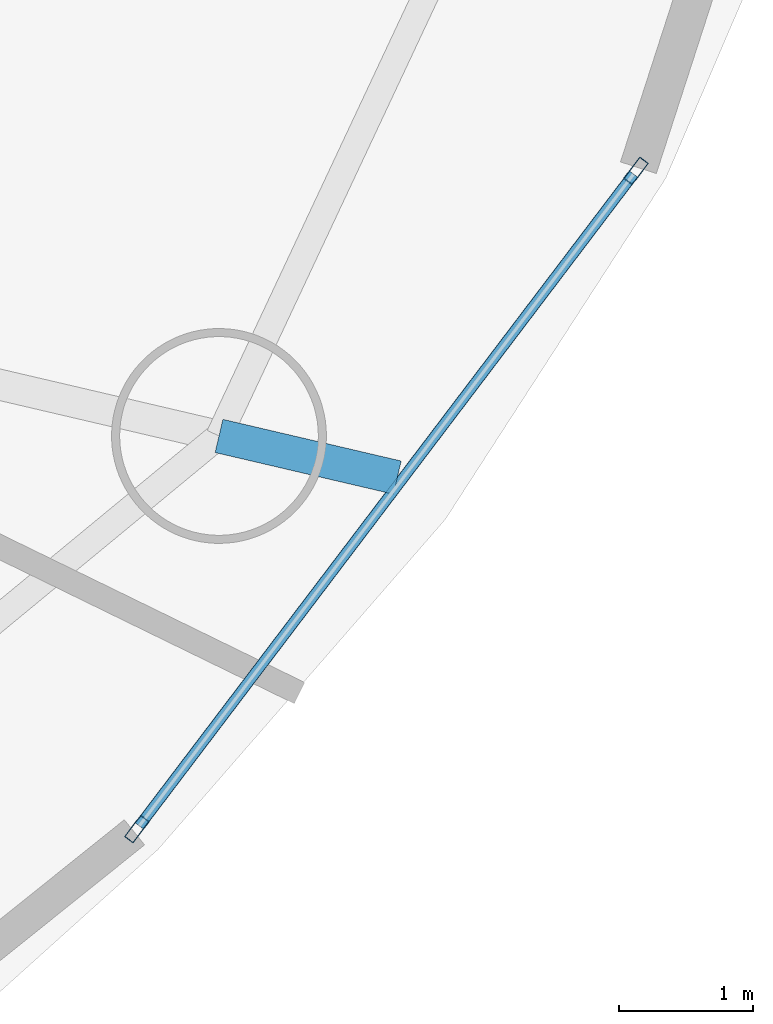
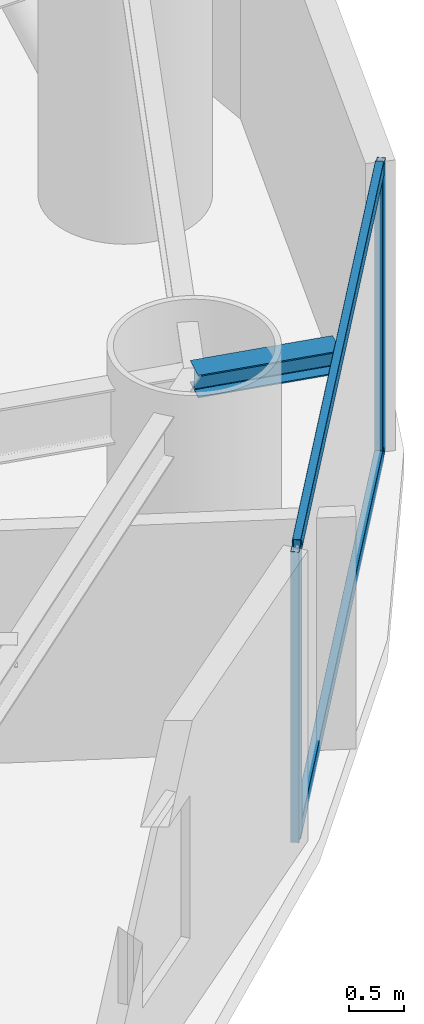
# One storey, part 5 of 19: 4 members, 1 beam, 1 element without a shape of its own.
"""IFC4 building model written with IfcOpenShell, lengths in metres."""

import ifcopenshell
import ifcopenshell.guid

model = None  # the IFC model being written
_history = None  # IfcOwnerHistory: only IFC2X3 demands one
_inside = {}  # id of a spatial element -> (the spatial element, [elements in it])
_under = {}  # id of a project, library or spatial element -> (it, [spatial elements below it])
_declared = {}  # id of a project -> (the project, [libraries it declares])
_typed = {}  # id of a type object -> (the type object, [elements of that type])
_made_of = {}  # id of a material, layer set ... -> (it, [elements and type objects made of it])


def new_model(schema):
    """Start an empty IFC model of exactly this schema.

    Asked for "IFC4X3", IfcOpenShell would pick the latest addendum, in which some entities
    have other attributes; the version numbers below select the first issue.
    IFC2X3 requires an IfcOwnerHistory on every rooted entity: one is made here for all.
    """
    global model, _history
    if schema == "IFC4X3":
        model = ifcopenshell.file(schema_version=(4, 3, 0, 0))
    else:
        model = ifcopenshell.file(schema=schema)
    _inside.clear()
    _under.clear()
    _declared.clear()
    _typed.clear()
    _made_of.clear()
    _history = None
    if model.schema == "IFC2X3":
        org = make("IfcOrganization", Name="unknown")
        user = make(
            "IfcPersonAndOrganization",
            ThePerson=make("IfcPerson", FamilyName="unknown"),
            TheOrganization=org,
        )
        app = make(
            "IfcApplication",
            ApplicationDeveloper=org,
            Version="unknown",
            ApplicationFullName="unknown",
            ApplicationIdentifier="unknown",
        )
        _history = make(
            "IfcOwnerHistory",
            OwningUser=user,
            OwningApplication=app,
            ChangeAction="ADDED",
            CreationDate=0,
        )
    return model


def make(cls, **values):
    """One entity of the class cls with the attributes given. An attribute that is None is left unset."""
    return model.create_entity(
        cls, **{name: value for name, value in values.items() if value is not None}
    )


def rooted(cls, **values):
    """An entity with a GlobalId (a new one), such as an element, a storey or a relation."""
    return make(cls, GlobalId=ifcopenshell.guid.new(), OwnerHistory=_history, **values)


def si_unit(unit_type, name, prefix=None):
    """IfcSIUnit, for example si_unit("LENGTHUNIT", "METRE", prefix="MILLI")."""
    return make("IfcSIUnit", UnitType=unit_type, Prefix=prefix, Name=name)


def assignment(units):
    """IfcUnitAssignment: the units of a project."""
    return None if units is None else make("IfcUnitAssignment", Units=units)


def point(xyz):
    """IfcCartesianPoint."""
    return None if xyz is None else make("IfcCartesianPoint", Coordinates=xyz)


def direction(xyz):
    """IfcDirection."""
    return None if xyz is None else make("IfcDirection", DirectionRatios=xyz)


def frame(location, z_axis=None, x_axis=None):
    """IfcAxis2Placement3D, a coordinate frame: its origin and axes. An axis left out is left unset."""
    return make(
        "IfcAxis2Placement3D",
        Location=point(location),
        Axis=direction(z_axis),
        RefDirection=direction(x_axis),
    )


def frame_2d(location, x_axis=None):
    """IfcAxis2Placement2D, a coordinate frame in the plane: its origin and x axis."""
    return make(
        "IfcAxis2Placement2D", Location=point(location), RefDirection=direction(x_axis)
    )


def origin():
    """The frame at (0, 0, 0) with its axes left unset."""
    return frame((0.0, 0.0, 0.0))


def origin_2d():
    """The frame at (0, 0) in the plane with its x axis left unset."""
    return frame_2d((0.0, 0.0))


def place(relative_to, where):
    """IfcLocalPlacement: puts the frame where relative to a parent placement (None: the world)."""
    return make(
        "IfcLocalPlacement", PlacementRelTo=relative_to, RelativePlacement=where
    )


def context(
    kind, dimensions, precision=None, world=None, true_north=None, identifier=None
):
    """IfcGeometricRepresentationContext, for example the 3D "Model" context."""
    return make(
        "IfcGeometricRepresentationContext",
        ContextIdentifier=identifier,
        ContextType=kind,
        CoordinateSpaceDimension=dimensions,
        Precision=precision,
        WorldCoordinateSystem=world,
        TrueNorth=true_north,
    )


def subcontext(parent, identifier, kind, view, scale=None):
    """IfcGeometricRepresentationSubContext, for example "Body" below "Model"."""
    return make(
        "IfcGeometricRepresentationSubContext",
        ContextIdentifier=identifier,
        ContextType=kind,
        ParentContext=parent,
        TargetScale=scale,
        TargetView=view,
    )


def project(units=None, contexts=None):
    """IfcProject with its units and contexts."""
    return rooted(
        "IfcProject",
        Name="project",
        RepresentationContexts=contexts,
        UnitsInContext=assignment(units),
    )


def spatial(cls, under=None, at=None, **own):
    """A site, building, storey or space (cls), placed at a placement, below another one or the project."""
    s = rooted(cls, ObjectPlacement=at, **own)
    if under is not None:
        _under.setdefault(under.id(), (under, []))[1].append(s)
    return s


def profile(cls, at=None, kind="AREA", **sizes):
    """A parametric profile (cls). Its sizes go by their IFC names, for example OverallWidth=200.0."""
    return make(cls, ProfileType=kind, Position=at, **sizes)


def hollow_rectangle(**sizes):
    """IfcRectangleHollowProfileDef."""
    return profile("IfcRectangleHollowProfileDef", **sizes)


def i_section(**sizes):
    """IfcIShapeProfileDef."""
    return profile("IfcIShapeProfileDef", **sizes)


def extrude(swept, where, along, depth):
    """IfcExtrudedAreaSolid: the profile swept, set in the frame where, extruded along a direction by depth."""
    return make(
        "IfcExtrudedAreaSolid",
        SweptArea=swept,
        Position=where,
        ExtrudedDirection=direction(along),
        Depth=depth,
    )


def shape(context_of_items, identifier, shape_type, items):
    """IfcShapeRepresentation: the items that make up one representation, for example the "Body"."""
    return make(
        "IfcShapeRepresentation",
        ContextOfItems=context_of_items,
        RepresentationIdentifier=identifier,
        RepresentationType=shape_type,
        Items=items,
    )


def material(Name=None, Category=None):
    """IfcMaterial."""
    return make("IfcMaterial", Name=Name, Category=Category)


def layer(
    of_material, thickness, ventilated=None, Name=None, Category=None, Priority=None
):
    """IfcMaterialLayer: one layer of a wall or slab, of a material (None: an air gap)."""
    return make(
        "IfcMaterialLayer",
        Material=of_material,
        LayerThickness=thickness,
        IsVentilated=ventilated,
        Name=Name,
        Category=Category,
        Priority=Priority,
    )


def layer_set(layers, Name=None):
    """IfcMaterialLayerSet."""
    return make("IfcMaterialLayerSet", MaterialLayers=layers, LayerSetName=Name)


def material_profile(
    of_material, cross_section, Name=None, Category=None, Priority=None
):
    """IfcMaterialProfile: a cross section and its material."""
    return make(
        "IfcMaterialProfile",
        Name=Name,
        Material=of_material,
        Profile=cross_section,
        Priority=Priority,
        Category=Category,
    )


def profile_set(profiles, Name=None, composite=None):
    """IfcMaterialProfileSet."""
    return make(
        "IfcMaterialProfileSet",
        Name=Name,
        MaterialProfiles=profiles,
        CompositeProfile=composite,
    )


def made_of(thing, what):
    """Note that an element or type object is made of a material, layer set ...; save() writes the relation."""
    if what is not None:
        _made_of.setdefault(what.id(), (what, []))[1].append(thing)
    return thing


def type_object(cls, material=None, **own):
    """A type object (cls), such as IfcWallType, which elements share."""
    return made_of(rooted(cls, **own), material)


def element(
    cls,
    number,
    at=None,
    inside=None,
    cuts=None,
    type_object=None,
    material=None,
    context=None,
    identifier="Body",
    shape_type=None,
    held_by="IfcProductDefinitionShape",
    body=None,
    shapes=None,
    **own,
):
    """One element of the class cls, such as IfcWall. Its Tag is "e" and its number.

    at: its placement. inside: the storey or other place that contains it. cuts: it is an
    opening in that element (IfcRelVoidsElement). A single representation is given by context,
    identifier, shape_type and body (its items); several are given by shapes. held_by: the class
    of the entity that holds the representations. save() writes the other relations.
    """
    e = rooted(cls, Tag="e%d" % number, ObjectPlacement=at, **own)
    if body is not None:
        shapes = [shape(context, identifier, shape_type, body)]
    if shapes is not None:
        e.Representation = make(held_by, Representations=shapes)
    if inside is not None:
        _inside.setdefault(inside.id(), (inside, []))[1].append(e)
    if cuts is not None:
        rooted(
            "IfcRelVoidsElement", RelatingBuildingElement=cuts, RelatedOpeningElement=e
        )
    if type_object is not None:
        _typed.setdefault(type_object.id(), (type_object, []))[1].append(e)
    return made_of(e, material)


def aggregate(whole, parts):
    """IfcRelAggregates: a whole, such as a stair, and the parts it consists of."""
    return rooted("IfcRelAggregates", RelatingObject=whole, RelatedObjects=parts)


def save(model, path):
    """Write the relations noted so far, then the file.

    IfcRelAggregates (storeys below a building ...), IfcRelContainedInSpatialStructure (elements
    in a storey), IfcRelDefinesByType, IfcRelAssociatesMaterial and IfcRelDeclares: one each for
    every whole, place, type object, material and project.
    """
    for whole, parts in _under.values():
        aggregate(whole, parts)
    for where, things in _inside.values():
        rooted(
            "IfcRelContainedInSpatialStructure",
            RelatedElements=things,
            RelatingStructure=where,
        )
    for kind, things in _typed.values():
        rooted("IfcRelDefinesByType", RelatedObjects=things, RelatingType=kind)
    for what, things in _made_of.values():
        rooted("IfcRelAssociatesMaterial", RelatedObjects=things, RelatingMaterial=what)
    for by, libraries in _declared.values():
        rooted("IfcRelDeclares", RelatingContext=by, RelatedDefinitions=libraries)
    model.write(path)


model = new_model("IFC4")

# Units and contexts
model_context = context("Model", 3, precision=1e-05, world=origin(), true_north=direction((0.0, 1.0)))
body_context = subcontext(model_context, "Body", "Model", "MODEL_VIEW")
ifc_project = project(units=[si_unit("LENGTHUNIT", "METRE"), si_unit("AREAUNIT", "SQUARE_METRE"), si_unit("VOLUMEUNIT", "CUBIC_METRE"), si_unit("PLANEANGLEUNIT", "RADIAN"), si_unit("MASSUNIT", "GRAM", prefix="KILO")], contexts=[model_context])

# Site, building, storey
site_placement = place(None, origin())
site = spatial("IfcSite", under=ifc_project, at=site_placement, CompositionType="ELEMENT")
building_placement = place(site_placement, origin())
building = spatial("IfcBuilding", under=site, at=building_placement, Name="Bramvorn Convention Spire", CompositionType="ELEMENT")
storey_placement = place(building_placement, frame((0.0, 0.0, 62.39990234375)))
storey = spatial("IfcBuildingStorey", under=building, at=storey_placement, Name="L13", CompositionType="ELEMENT", Elevation=62.39990234375)

# Beam
ifc_material_1 = material(Name="Steel CSA G40.21 Grade 350 (350W)", Category="steel")
ifc_material_profile_1 = material_profile(ifc_material_1, i_section(OverallWidth=0.25390625, OverallDepth=0.2529296875, WebThickness=0.008544921875, FlangeThickness=0.01416015625, FilletRadius=0.011962890625, at=origin_2d()))
ifc_profile_set_1 = profile_set([ifc_material_profile_1], Name="Steel CSA G40.21 Grade 350 (350W) - W250X73")
beam_type = type_object("IfcBeamType", Name="BM-W250X73", PredefinedType="BEAM", material=ifc_profile_set_1)
beam_placement = place(storey_placement, frame((63.35888671875, 15.253662109375, 3.12353515625), z_axis=(0.973805540425, -0.227382429921, 0.0), x_axis=(0.227382429921, 0.973805540425, 0.0)))
element("IfcBeam", 1, at=beam_placement, inside=storey, type_object=beam_type, Name="L13 slab-edge cantilever tip beam MC16", PredefinedType="BEAM", context=body_context, shape_type="SweptSolid", body=[
    extrude(i_section(OverallWidth=0.25390625, OverallDepth=0.2529296875, WebThickness=0.008544921875, FlangeThickness=0.01416015625, FilletRadius=0.011962890625, at=origin_2d()), origin(), (0.0, 0.0, 1.0), 1.363525390625),
])

# Curtain wall, members
ifc_material_2 = material(Name="Anodised Bronze Unitised Curtain Wall", Category="aluminium")
ifc_layer = layer(ifc_material_2, 0.179931640625)
ifc_layer_set = layer_set([ifc_layer], Name="Anodised Bronze Unitised Curtain Wall - CW-HTL-FRIT")
curtain_wall_type = type_object("IfcCurtainWallType", Name="CW-HTL-FRIT", PredefinedType="USERDEFINED", material=ifc_layer_set)
curtain_wall_placement = place(storey_placement, origin())
curtain_wall = element("IfcCurtainWall", 2, at=curtain_wall_placement, inside=storey, type_object=curtain_wall_type, Name="L13 fritted glass curtain wall 23", ObjectType="UNITISED CURTAIN WALL", PredefinedType="USERDEFINED")
ifc_material_3 = material(Name="Anodised Bronze Aluminium 6063-T6", Category="aluminium")
ifc_material_profile_2 = material_profile(ifc_material_3, hollow_rectangle(XDim=0.080078125, YDim=0.199951171875, WallThickness=0.00390625, InnerFilletRadius=0.0009765625, OuterFilletRadius=0.00390625, at=origin_2d()))
ifc_profile_set_2 = profile_set([ifc_material_profile_2], Name="Anodised Bronze Aluminium 6063-T6 - CWM80X200")
member_type_1 = type_object("IfcMemberType", Name="CW-MUL-180", PredefinedType="MULLION", material=ifc_profile_set_2)
member_1_placement = place(storey_placement, frame((66.46435546875, 17.227783203125, 0.0), z_axis=(0.0, 0.0, 1.0), x_axis=(0.796828632267, -0.604205371376, 0.0)))
member_1 = element("IfcMember", 3, at=member_1_placement, type_object=member_type_1, Name="CW2 mullion 1", PredefinedType="MULLION", context=body_context, shape_type="SweptSolid", body=[
    extrude(hollow_rectangle(XDim=0.080078125, YDim=0.199951171875, WallThickness=0.00390625, InnerFilletRadius=0.0009765625, OuterFilletRadius=0.00390625, at=origin_2d()), origin(), (0.0, 0.0, 1.0), 3.25),
])
member_2_placement = place(storey_placement, frame((62.747314453125, 12.32568359375, 0.0), z_axis=(0.0, 0.0, 1.0), x_axis=(0.796828632267, -0.604205371376, 0.0)))
member_2 = element("IfcMember", 4, at=member_2_placement, type_object=member_type_1, Name="CW2 mullion 2", PredefinedType="MULLION", context=body_context, shape_type="SweptSolid", body=[
    extrude(hollow_rectangle(XDim=0.080078125, YDim=0.199951171875, WallThickness=0.00390625, InnerFilletRadius=0.0009765625, OuterFilletRadius=0.00390625, at=origin_2d()), origin(), (0.0, 0.0, 1.0), 3.25),
])
ifc_material_profile_3 = material_profile(ifc_material_3, hollow_rectangle(XDim=0.080078125, YDim=0.159912109375, WallThickness=0.00390625, InnerFilletRadius=0.0009765625, OuterFilletRadius=0.00390625, at=origin_2d()))
ifc_profile_set_3 = profile_set([ifc_material_profile_3], Name="Anodised Bronze Aluminium 6063-T6 - CWT80X160")
member_type_2 = type_object("IfcMemberType", Name="CW-TRN-150", PredefinedType="USERDEFINED", material=ifc_profile_set_3)
member_3_placement = place(storey_placement, frame((66.4462890625, 17.203857421875, 0.030029296875), z_axis=(-0.604217183086, -0.796819675751, 0.0), x_axis=(0.796819675751, -0.604217183086, 0.0)))
member_3 = element("IfcMember", 5, at=member_3_placement, type_object=member_type_2, Name="CW2 transom 1.1", ObjectType="TRANSOM", PredefinedType="USERDEFINED", context=body_context, shape_type="SweptSolid", body=[
    extrude(hollow_rectangle(XDim=0.080078125, YDim=0.159912109375, WallThickness=0.00390625, InnerFilletRadius=0.0009765625, OuterFilletRadius=0.00390625, at=origin_2d()), origin(), (0.0, 0.0, 1.0), 6.092041015625),
])
member_4_placement = place(storey_placement, frame((66.4462890625, 17.203857421875, 3.22021484375), z_axis=(-0.604217183086, -0.796819675751, 0.0), x_axis=(0.796819675751, -0.604217183086, 0.0)))
member_4 = element("IfcMember", 6, at=member_4_placement, type_object=member_type_2, Name="CW2 transom 1.2", ObjectType="TRANSOM", PredefinedType="USERDEFINED", context=body_context, shape_type="SweptSolid", body=[
    extrude(hollow_rectangle(XDim=0.080078125, YDim=0.159912109375, WallThickness=0.00390625, InnerFilletRadius=0.0009765625, OuterFilletRadius=0.00390625, at=origin_2d()), origin(), (0.0, 0.0, 1.0), 6.092041015625),
])
aggregate(curtain_wall, [member_1, member_2, member_3, member_4])

save(model, "model.ifc")
